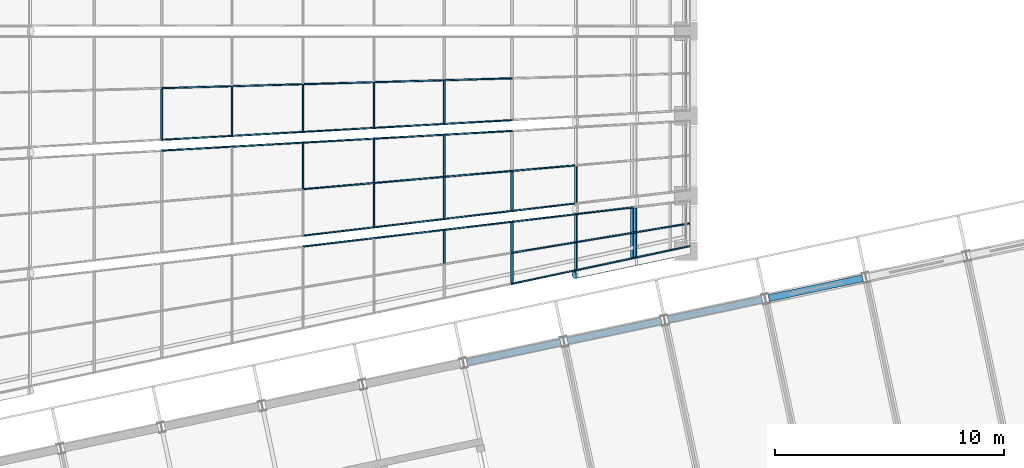
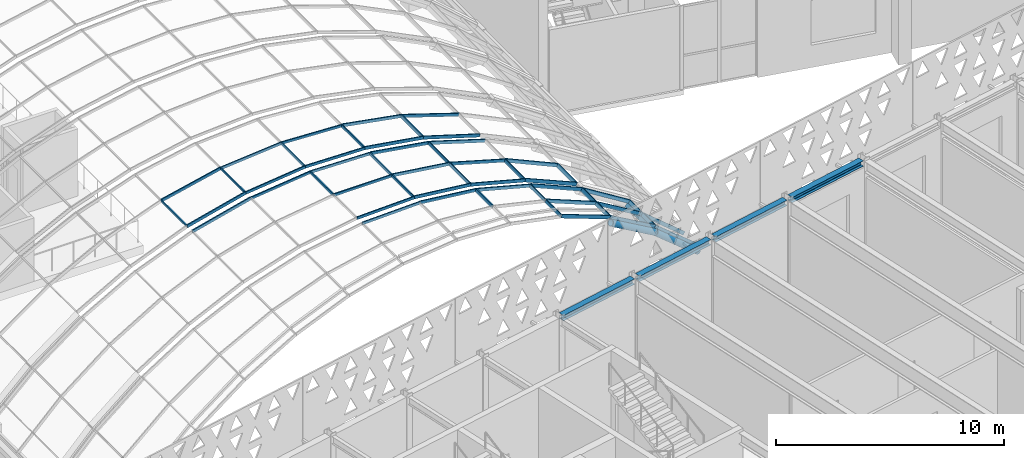
# One storey, part 33 of 182: 56 members, 4 beams, 3 elements without a shape of their own.
"""IFC4 building model written with IfcOpenShell, lengths in metres."""

from ifc_helpers import new_model, si_unit, direction, frame, origin, origin_2d, place, context, subcontext, project, spatial, rectangle, hollow_rectangle, hollow_circle, i_section, extrude, material, material_profile, profile_set, type_object, element, aggregate, save


model = new_model("IFC4")

# Units and contexts
model_context = context("Model", 3, precision=1e-05, world=origin(), true_north=direction((0.0, 1.0)))
body_context = subcontext(model_context, "Body", "Model", "MODEL_VIEW")
ifc_project = project(units=[si_unit("LENGTHUNIT", "METRE"), si_unit("AREAUNIT", "SQUARE_METRE"), si_unit("VOLUMEUNIT", "CUBIC_METRE"), si_unit("PLANEANGLEUNIT", "RADIAN"), si_unit("MASSUNIT", "GRAM", prefix="KILO")], contexts=[model_context])

# Site, building, storey
site_placement = place(None, origin())
site = spatial("IfcSite", under=ifc_project, at=site_placement, CompositionType="ELEMENT")
building_placement = place(site_placement, origin())
building = spatial("IfcBuilding", under=site, at=building_placement, Name="Okhra Congress Centre", CompositionType="ELEMENT")
storey_placement = place(building_placement, frame((0.0, 0.0, 7.199951171875)))
storey = spatial("IfcBuildingStorey", under=building, at=storey_placement, Name="L01", CompositionType="ELEMENT", Elevation=7.199951171875)

# Curtain wall, member
ifc_material_1 = material(Name="Aluminium frame with triple glazing", Category="aluminium")
curtain_wall_type = type_object("IfcCurtainWallType", Name="Glazed vault bay curtain wall", PredefinedType="NOTDEFINED", material=ifc_material_1)
curtain_wall_1_placement = place(storey_placement, origin())
curtain_wall_1 = element("IfcCurtainWall", 1, at=curtain_wall_1_placement, inside=storey, type_object=curtain_wall_type, Name="Vault glazing bay 1", PredefinedType="NOTDEFINED")
ifc_material_2 = material(Name="Aluminium alloy 6063", Category="aluminium")
ifc_material_profile_1 = material_profile(ifc_material_2, rectangle(XDim=0.06005859375, YDim=0.139892578125, at=origin_2d()), Name="AL 60x140")
ifc_profile_set_1 = profile_set([ifc_material_profile_1], Name="Aluminium alloy 6063")
member_type_1 = type_object("IfcMemberType", Name="Aluminium mullion 60x140", PredefinedType="MULLION", material=ifc_profile_set_1)
member_1_placement = place(storey_placement, frame((172.25, 81.5810546875, 8.945068359375), z_axis=(0.990927819516, 0.117383489745, -0.065445953608), x_axis=(-0.117635687076, 0.99305681868, 0.0)))
member_1 = element("IfcMember", 2, at=member_1_placement, type_object=member_type_1, Name="Vault mullion 1.3.7", PredefinedType="MULLION", context=body_context, shape_type="SweptSolid", body=[
    extrude(rectangle(XDim=0.06005859375, YDim=0.139892578125, at=origin_2d()), origin(), (0.0, 0.0, 1.0), 3.144775390625),
])

# Curtain wall, members
curtain_wall_2_placement = place(storey_placement, origin())
curtain_wall_2 = element("IfcCurtainWall", 3, at=curtain_wall_2_placement, inside=storey, type_object=curtain_wall_type, Name="Vault glazing bay 2", PredefinedType="NOTDEFINED")
member_2_placement = place(storey_placement, frame((172.25, 82.05029296875, 8.945068359375), z_axis=(0.990927819516, 0.117383489745, -0.065445953608), x_axis=(-0.117635687076, 0.99305681868, 0.0)))
member_2 = element("IfcMember", 4, at=member_2_placement, type_object=member_type_1, Name="Vault mullion 2.1.7", PredefinedType="MULLION", context=body_context, shape_type="SweptSolid", body=[
    extrude(rectangle(XDim=0.06005859375, YDim=0.139892578125, at=origin_2d()), origin(), (0.0, 0.0, 1.0), 3.144775390625),
])
member_3_placement = place(storey_placement, frame((172.25, 84.08740234375, 8.945068359375), z_axis=(0.994056969622, 0.086835907327, -0.065652618724), x_axis=(-0.08702365743, 0.996206245236, 0.0)))
member_3 = element("IfcMember", 5, at=member_3_placement, type_object=member_type_1, Name="Vault mullion 2.2.7", PredefinedType="MULLION", context=body_context, shape_type="SweptSolid", body=[
    extrude(rectangle(XDim=0.06005859375, YDim=0.139892578125, at=origin_2d()), origin(), (0.0, 0.0, 1.0), 3.134765625),
])
member_4_placement = place(storey_placement, frame((169.1337890625, 85.948974609375, 8.7392578125), z_axis=(0.996257988444, 0.056041463154, 0.065797985291), x_axis=(-0.056163170737, 0.998421603459, 0.0)))
member_4 = element("IfcMember", 6, at=member_4_placement, type_object=member_type_1, Name="Vault mullion 2.3.6", PredefinedType="MULLION", context=body_context, shape_type="SweptSolid", body=[
    extrude(rectangle(XDim=0.06005859375, YDim=0.139892578125, at=origin_2d()), origin(), (0.0, 0.0, 1.0), 3.1279296875),
])
member_5_placement = place(storey_placement, frame((172.25, 86.124267578125, 8.945068359375), z_axis=(0.996257988444, 0.056041463154, -0.065797985291), x_axis=(-0.056163170737, 0.998421603459, 0.0)))
member_5 = element("IfcMember", 7, at=member_5_placement, type_object=member_type_1, Name="Vault mullion 2.3.7", PredefinedType="MULLION", context=body_context, shape_type="SweptSolid", body=[
    extrude(rectangle(XDim=0.06005859375, YDim=0.139892578125, at=origin_2d()), origin(), (0.0, 0.0, 1.0), 3.1279296875),
])

curtain_wall_3_placement = place(storey_placement, origin())
curtain_wall_3 = element("IfcCurtainWall", 8, at=curtain_wall_3_placement, inside=storey, type_object=curtain_wall_type, Name="Vault glazing bay 3", PredefinedType="NOTDEFINED")
member_6_placement = place(storey_placement, frame((169.1337890625, 86.416015625, 8.7392578125), z_axis=(0.996257988444, 0.056041463154, 0.065797985291), x_axis=(-0.056163170737, 0.998421603459, 0.0)))
member_6 = element("IfcMember", 9, at=member_6_placement, type_object=member_type_1, Name="Vault mullion 3.1.6", PredefinedType="MULLION", context=body_context, shape_type="SweptSolid", body=[
    extrude(rectangle(XDim=0.06005859375, YDim=0.139892578125, at=origin_2d()), origin(), (0.0, 0.0, 1.0), 3.1279296875),
])
member_7_placement = place(storey_placement, frame((172.25, 86.59130859375, 8.945068359375), z_axis=(0.996257988444, 0.056041463154, -0.065797985291), x_axis=(-0.056163170737, 0.998421603459, 0.0)))
member_7 = element("IfcMember", 10, at=member_7_placement, type_object=member_type_1, Name="Vault mullion 3.1.7", PredefinedType="MULLION", context=body_context, shape_type="SweptSolid", body=[
    extrude(rectangle(XDim=0.06005859375, YDim=0.139892578125, at=origin_2d()), origin(), (0.0, 0.0, 1.0), 3.1279296875),
])
member_8_placement = place(storey_placement, frame((169.1337890625, 88.591552734375, 8.7392578125), z_axis=(0.997433400323, 0.028053791187, 0.065875615518), x_axis=(-0.028114861094, 0.999604699161, 0.0)))
member_8 = element("IfcMember", 11, at=member_8_placement, type_object=member_type_1, Name="Vault mullion 3.2.6", PredefinedType="MULLION", context=body_context, shape_type="SweptSolid", body=[
    extrude(rectangle(XDim=0.06005859375, YDim=0.139892578125, at=origin_2d()), origin(), (0.0, 0.0, 1.0), 3.124267578125),
])
member_9_placement = place(storey_placement, frame((172.25, 88.67919921875, 8.945068359375), z_axis=(0.997435583901, 0.027975708166, -0.065875759733), x_axis=(-0.028036608362, 0.999606897031, 0.0)))
member_9 = element("IfcMember", 12, at=member_9_placement, type_object=member_type_1, Name="Vault mullion 3.2.7", PredefinedType="MULLION", context=body_context, shape_type="SweptSolid", body=[
    extrude(rectangle(XDim=0.06005859375, YDim=0.139892578125, at=origin_2d()), origin(), (0.0, 0.0, 1.0), 3.124267578125),
])

# Member
ifc_material_profile_2 = material_profile(ifc_material_2, rectangle(XDim=0.06005859375, YDim=0.159912109375, at=origin_2d()), Name="AL 60x160")
ifc_profile_set_2 = profile_set([ifc_material_profile_2], Name="Aluminium alloy 6063")
member_type_2 = type_object("IfcMemberType", Name="Aluminium mullion 60x160", PredefinedType="MULLION", material=ifc_profile_set_2)
member_10_placement = place(storey_placement, frame((175.367431640625, 81.950439453125, 8.7490234375), z_axis=(0.973940797831, 0.115339179597, -0.195284909734), x_axis=(-0.117603451244, 0.993060636747, 0.0)))
member_10 = element("IfcMember", 13, at=member_10_placement, type_object=member_type_2, Name="Vault mullion 1.3.8", PredefinedType="MULLION", context=body_context, shape_type="SweptSolid", body=[
    extrude(rectangle(XDim=0.06005859375, YDim=0.159912109375, at=origin_2d()), origin(), (0.0, 0.0, 1.0), 3.1455078125),
])

member_11_placement = place(storey_placement, frame((178.430908203125, 82.313232421875, 8.134765625), z_axis=(0.940172673451, 0.111435350326, -0.321958858853), x_axis=(-0.117702581996, 0.993048892146, 0.0)))
member_11 = element("IfcMember", 14, at=member_11_placement, type_object=member_type_2, Name="Vault mullion 1.3.9", PredefinedType="MULLION", context=body_context, shape_type="SweptSolid", body=[
    extrude(rectangle(XDim=0.06005859375, YDim=0.159912109375, at=origin_2d()), origin(), (0.0, 0.0, 1.0), 3.143798828125),
])

member_12_placement = place(storey_placement, frame((175.367431640625, 82.419677734375, 8.7490234375), z_axis=(0.973940797831, 0.115339179597, -0.195284909734), x_axis=(-0.117603451244, 0.993060636747, 0.0)))
member_12 = element("IfcMember", 15, at=member_12_placement, type_object=member_type_2, Name="Vault mullion 2.1.8", PredefinedType="MULLION", context=body_context, shape_type="SweptSolid", body=[
    extrude(rectangle(XDim=0.06005859375, YDim=0.159912109375, at=origin_2d()), origin(), (0.0, 0.0, 1.0), 3.1455078125),
])

member_13_placement = place(storey_placement, frame((178.430908203125, 82.782470703125, 8.134765625), z_axis=(0.940172673451, 0.111435350326, -0.321958858853), x_axis=(-0.117702581996, 0.993048892146, 0.0)))
member_13 = element("IfcMember", 16, at=member_13_placement, type_object=member_type_2, Name="Vault mullion 2.1.9", PredefinedType="MULLION", context=body_context, shape_type="SweptSolid", body=[
    extrude(rectangle(XDim=0.06005859375, YDim=0.159912109375, at=origin_2d()), origin(), (0.0, 0.0, 1.0), 3.143798828125),
])

member_14_placement = place(storey_placement, frame((175.367431640625, 84.359619140625, 8.7490234375), z_axis=(0.976908504689, 0.085327679402, -0.195879964759), x_axis=(-0.087013311702, 0.996207148934, 0.0)))
member_14 = element("IfcMember", 17, at=member_14_placement, type_object=member_type_2, Name="Vault mullion 2.2.8", PredefinedType="MULLION", context=body_context, shape_type="SweptSolid", body=[
    extrude(rectangle(XDim=0.06005859375, YDim=0.159912109375, at=origin_2d()), origin(), (0.0, 0.0, 1.0), 3.135986328125),
])

member_15_placement = place(storey_placement, frame((178.430908203125, 84.627197265625, 8.134765625), z_axis=(0.942848354341, 0.082393124547, -0.322875136458), x_axis=(-0.087055690621, 0.996203446456, 0.0)))
member_15 = element("IfcMember", 18, at=member_15_placement, type_object=member_type_2, Name="Vault mullion 2.2.9", PredefinedType="MULLION", context=body_context, shape_type="SweptSolid", body=[
    extrude(rectangle(XDim=0.06005859375, YDim=0.159912109375, at=origin_2d()), origin(), (0.0, 0.0, 1.0), 3.135009765625),
])

member_16_placement = place(storey_placement, frame((166.069091796875, 85.776611328125, 8.134765625), z_axis=(0.978995840077, 0.055082169517, 0.196298496464), x_axis=(-0.056175101862, 0.998420932238, 0.0)))
member_16 = element("IfcMember", 19, at=member_16_placement, type_object=member_type_2, Name="Vault mullion 2.3.5", PredefinedType="MULLION", context=body_context, shape_type="SweptSolid", body=[
    extrude(rectangle(XDim=0.06005859375, YDim=0.159912109375, at=origin_2d()), origin(), (0.0, 0.0, 1.0), 3.129150390625),
])

member_17_placement = place(storey_placement, frame((175.367431640625, 86.299560546875, 8.7490234375), z_axis=(0.978995840077, 0.055082169517, -0.196298496464), x_axis=(-0.056175101862, 0.998420932238, 0.0)))
member_17 = element("IfcMember", 20, at=member_17_placement, type_object=member_type_2, Name="Vault mullion 2.3.8", PredefinedType="MULLION", context=body_context, shape_type="SweptSolid", body=[
    extrude(rectangle(XDim=0.06005859375, YDim=0.159912109375, at=origin_2d()), origin(), (0.0, 0.0, 1.0), 3.129150390625),
])

member_18_placement = place(storey_placement, frame((178.430908203125, 86.471923828125, 8.134765625), z_axis=(0.944728367295, 0.053139507568, -0.323518940349), x_axis=(-0.056159679993, 0.998421799814, 0.0)))
member_18 = element("IfcMember", 21, at=member_18_placement, type_object=member_type_2, Name="Vault mullion 2.3.9", PredefinedType="MULLION", context=body_context, shape_type="SweptSolid", body=[
    extrude(rectangle(XDim=0.06005859375, YDim=0.159912109375, at=origin_2d()), origin(), (0.0, 0.0, 1.0), 3.128662109375),
])

member_19_placement = place(storey_placement, frame((166.069091796875, 86.24365234375, 8.134765625), z_axis=(0.978995840077, 0.055082169517, 0.196298496464), x_axis=(-0.056175101862, 0.998420932238, 0.0)))
member_19 = element("IfcMember", 22, at=member_19_placement, type_object=member_type_2, Name="Vault mullion 3.1.5", PredefinedType="MULLION", context=body_context, shape_type="SweptSolid", body=[
    extrude(rectangle(XDim=0.06005859375, YDim=0.159912109375, at=origin_2d()), origin(), (0.0, 0.0, 1.0), 3.129150390625),
])

member_20_placement = place(storey_placement, frame((175.367431640625, 86.7666015625, 8.7490234375), z_axis=(0.978995840077, 0.055082169517, -0.196298496464), x_axis=(-0.056175101862, 0.998420932238, 0.0)))
member_20 = element("IfcMember", 23, at=member_20_placement, type_object=member_type_2, Name="Vault mullion 3.1.8", PredefinedType="MULLION", context=body_context, shape_type="SweptSolid", body=[
    extrude(rectangle(XDim=0.06005859375, YDim=0.159912109375, at=origin_2d()), origin(), (0.0, 0.0, 1.0), 3.129150390625),
])

member_21_placement = place(storey_placement, frame((178.430908203125, 86.93896484375, 8.134765625), z_axis=(0.944728367295, 0.053139507568, -0.323518940349), x_axis=(-0.056159679993, 0.998421799814, 0.0)))
member_21 = element("IfcMember", 24, at=member_21_placement, type_object=member_type_2, Name="Vault mullion 3.1.9", PredefinedType="MULLION", context=body_context, shape_type="SweptSolid", body=[
    extrude(rectangle(XDim=0.06005859375, YDim=0.159912109375, at=origin_2d()), origin(), (0.0, 0.0, 1.0), 3.128662109375),
])

member_22_placement = place(storey_placement, frame((166.069091796875, 88.50537109375, 8.134765625), z_axis=(0.9801137217, 0.027494423816, 0.196522642955), x_axis=(-0.028041248163, 0.999606766885, 0.0)))
member_22 = element("IfcMember", 25, at=member_22_placement, type_object=member_type_2, Name="Vault mullion 3.2.5", PredefinedType="MULLION", context=body_context, shape_type="SweptSolid", body=[
    extrude(rectangle(XDim=0.06005859375, YDim=0.159912109375, at=origin_2d()), origin(), (0.0, 0.0, 1.0), 3.125732421875),
])

member_23_placement = place(storey_placement, frame((175.367431640625, 88.766845703125, 8.7490234375), z_axis=(0.980111613858, 0.027572473676, -0.196522220311), x_axis=(-0.028120847893, 0.999604530759, 0.0)))
member_23 = element("IfcMember", 26, at=member_23_placement, type_object=member_type_2, Name="Vault mullion 3.2.8", PredefinedType="MULLION", context=body_context, shape_type="SweptSolid", body=[
    extrude(rectangle(XDim=0.06005859375, YDim=0.159912109375, at=origin_2d()), origin(), (0.0, 0.0, 1.0), 3.125732421875),
])

member_24_placement = place(storey_placement, frame((178.430908203125, 88.85302734375, 8.134765625), z_axis=(0.945731339932, 0.026558904401, -0.323862404837), x_axis=(-0.028071859966, 0.999605907685, 0.0)))
member_24 = element("IfcMember", 27, at=member_24_placement, type_object=member_type_2, Name="Vault mullion 3.2.9", PredefinedType="MULLION", context=body_context, shape_type="SweptSolid", body=[
    extrude(rectangle(XDim=0.06005859375, YDim=0.159912109375, at=origin_2d()), origin(), (0.0, 0.0, 1.0), 3.12548828125),
])

ifc_material_profile_3 = material_profile(ifc_material_2, rectangle(XDim=0.06005859375, YDim=0.179931640625, at=origin_2d()), Name="AL 60x180")
ifc_profile_set_3 = profile_set([ifc_material_profile_3], Name="Aluminium alloy 6063")
member_type_3 = type_object("IfcMemberType", Name="Aluminium mullion 60x180", PredefinedType="MULLION", material=ifc_profile_set_3)
member_25_placement = place(storey_placement, frame((181.390625, 79.947021484375, 7.1318359375), z_axis=(0.879473345391, 0.186929331592, -0.437703163957), x_axis=(-0.207902647066, 0.978149522999, 0.0)))
member_25 = element("IfcMember", 28, at=member_25_placement, type_object=member_type_3, Name="Vault mullion 1.1.10", PredefinedType="MULLION", context=body_context, shape_type="SweptSolid", body=[
    extrude(rectangle(XDim=0.06005859375, YDim=0.179931640625, at=origin_2d()), origin(), (0.0, 0.0, 1.0), 3.181640625),
])

member_26_placement = place(storey_placement, frame((184.188720703125, 80.541748046875, 5.7392578125), z_axis=(0.816251475233, 0.173542863833, -0.551013977674), x_axis=(-0.207961285665, 0.978137057709, 0.0)))
member_26 = element("IfcMember", 29, at=member_26_placement, type_object=member_type_3, Name="Vault mullion 1.1.11", PredefinedType="MULLION", context=body_context, shape_type="SweptSolid", body=[
    extrude(rectangle(XDim=0.06005859375, YDim=0.179931640625, at=origin_2d()), origin(), (0.0, 0.0, 1.0), 3.173828125),
])

member_27_placement = place(storey_placement, frame((186.779296875, 81.092529296875, 3.990478515625), z_axis=(0.738742575659, 0.157051256557, -0.655434443497), x_axis=(-0.207945482908, 0.978140417393, 0.0)))
member_27 = element("IfcMember", 30, at=member_27_placement, type_object=member_type_3, Name="Vault mullion 1.1.12", PredefinedType="MULLION", context=body_context, shape_type="SweptSolid", body=[
    extrude(rectangle(XDim=0.06005859375, YDim=0.179931640625, at=origin_2d()), origin(), (0.0, 0.0, 1.0), 3.1650390625),
])

member_28_placement = place(storey_placement, frame((181.390625, 81.305419921875, 7.1318359375), z_axis=(0.885583868614, 0.146579931835, -0.440744296883), x_axis=(-0.163296114073, 0.986577102475, 0.0)))
member_28 = element("IfcMember", 31, at=member_28_placement, type_object=member_type_3, Name="Vault mullion 1.2.10", PredefinedType="MULLION", context=body_context, shape_type="SweptSolid", body=[
    extrude(rectangle(XDim=0.06005859375, YDim=0.179931640625, at=origin_2d()), origin(), (0.0, 0.0, 1.0), 3.15966796875),
])

member_29_placement = place(storey_placement, frame((184.188720703125, 81.7685546875, 5.7392578125), z_axis=(0.821131025697, 0.13596524476, -0.554307938655), x_axis=(-0.163358571477, 0.986566762629, 0.0)))
member_29 = element("IfcMember", 32, at=member_29_placement, type_object=member_type_3, Name="Vault mullion 1.2.11", PredefinedType="MULLION", context=body_context, shape_type="SweptSolid", body=[
    extrude(rectangle(XDim=0.06005859375, YDim=0.179931640625, at=origin_2d()), origin(), (0.0, 0.0, 1.0), 3.15478515625),
])

member_30_placement = place(storey_placement, frame((186.779296875, 82.197509765625, 3.990478515625), z_axis=(0.742358128377, 0.122860774092, -0.65864226969), x_axis=(-0.163279631546, 0.986579830486, 0.0)))
member_30 = element("IfcMember", 33, at=member_30_placement, type_object=member_type_3, Name="Vault mullion 1.2.12", PredefinedType="MULLION", context=body_context, shape_type="SweptSolid", body=[
    extrude(rectangle(XDim=0.06005859375, YDim=0.179931640625, at=origin_2d()), origin(), (0.0, 0.0, 1.0), 3.149658203125),
])

member_31_placement = place(storey_placement, frame((181.390625, 82.663818359375, 7.1318359375), z_axis=(0.890258875405, 0.10548569521, -0.443070990778), x_axis=(-0.117665677919, 0.99305326556, 0.0)))
member_31 = element("IfcMember", 34, at=member_31_placement, type_object=member_type_3, Name="Vault mullion 1.3.10", PredefinedType="MULLION", context=body_context, shape_type="SweptSolid", body=[
    extrude(rectangle(XDim=0.06005859375, YDim=0.179931640625, at=origin_2d()), origin(), (0.0, 0.0, 1.0), 3.14306640625),
])

member_32_placement = place(storey_placement, frame((184.188720703125, 82.995361328125, 5.7392578125), z_axis=(0.824861462835, 0.097714716689, -0.556826185872), x_axis=(-0.117639418105, 0.993056376702, 0.0)))
member_32 = element("IfcMember", 35, at=member_32_placement, type_object=member_type_3, Name="Vault mullion 1.3.11", PredefinedType="MULLION", context=body_context, shape_type="SweptSolid", body=[
    extrude(rectangle(XDim=0.06005859375, YDim=0.179931640625, at=origin_2d()), origin(), (0.0, 0.0, 1.0), 3.140625),
])

member_33_placement = place(storey_placement, frame((181.390625, 83.133056640625, 7.1318359375), z_axis=(0.890258875405, 0.10548569521, -0.443070990778), x_axis=(-0.117665677919, 0.99305326556, 0.0)))
member_33 = element("IfcMember", 36, at=member_33_placement, type_object=member_type_3, Name="Vault mullion 2.1.10", PredefinedType="MULLION", context=body_context, shape_type="SweptSolid", body=[
    extrude(rectangle(XDim=0.06005859375, YDim=0.179931640625, at=origin_2d()), origin(), (0.0, 0.0, 1.0), 3.14306640625),
])

member_34_placement = place(storey_placement, frame((181.390625, 84.8857421875, 7.1318359375), z_axis=(0.892523994014, 0.078030629265, -0.4441983127), x_axis=(-0.087094706938, 0.996200036149, 0.0)))
member_34 = element("IfcMember", 37, at=member_34_placement, type_object=member_type_3, Name="Vault mullion 2.2.10", PredefinedType="MULLION", context=body_context, shape_type="SweptSolid", body=[
    extrude(rectangle(XDim=0.06005859375, YDim=0.179931640625, at=origin_2d()), origin(), (0.0, 0.0, 1.0), 3.135009765625),
])

ifc_material_profile_4 = material_profile(ifc_material_2, rectangle(XDim=0.06005859375, YDim=0.139892578125, at=origin_2d()), Name="AL 60x140 transom")
ifc_profile_set_4 = profile_set([ifc_material_profile_4], Name="Aluminium alloy 6063")
member_type_4 = type_object("IfcMemberType", Name="Aluminium transom 60x140", PredefinedType="USERDEFINED", material=ifc_profile_set_4)
member_35_placement = place(storey_placement, frame((175.3662109375, 82.449462890625, 8.7392578125), z_axis=(0.0, 1.0, 0.0), x_axis=(-0.991307202734, 0.0, 0.131567586459)))
member_35 = element("IfcMember", 38, at=member_35_placement, type_object=member_type_4, Name="Vault transom 2.1.8", ObjectType="TRANSOM", PredefinedType="USERDEFINED", context=body_context, shape_type="SweptSolid", body=[
    extrude(rectangle(XDim=0.06005859375, YDim=0.139892578125, at=origin_2d()), origin(), (0.0, 0.0, 1.0), 1.880126953125),
])

member_36_placement = place(storey_placement, frame((172.25, 84.117431640625, 8.945068359375), z_axis=(0.0, 1.0, 0.0), x_axis=(-1.0, 0.0, 0.0)))
member_36 = element("IfcMember", 39, at=member_36_placement, type_object=member_type_4, Name="Vault transom 2.2.7", ObjectType="TRANSOM", PredefinedType="USERDEFINED", context=body_context, shape_type="SweptSolid", body=[
    extrude(rectangle(XDim=0.06005859375, YDim=0.139892578125, at=origin_2d()), origin(), (0.0, 0.0, 1.0), 1.976806640625),
])

member_37_placement = place(storey_placement, frame((175.3662109375, 84.3896484375, 8.7392578125), z_axis=(0.0, 1.0, 0.0), x_axis=(-0.991307202734, 0.0, 0.131567586459)))
member_37 = element("IfcMember", 40, at=member_37_placement, type_object=member_type_4, Name="Vault transom 2.2.8", ObjectType="TRANSOM", PredefinedType="USERDEFINED", context=body_context, shape_type="SweptSolid", body=[
    extrude(rectangle(XDim=0.06005859375, YDim=0.139892578125, at=origin_2d()), origin(), (0.0, 0.0, 1.0), 1.8798828125),
])

member_38_placement = place(storey_placement, frame((169.1337890625, 86.446044921875, 8.7392578125), z_axis=(0.0, 1.0, 0.0), x_axis=(-0.991307202734, 0.0, -0.131567586459)))
member_38 = element("IfcMember", 41, at=member_38_placement, type_object=member_type_4, Name="Vault transom 3.1.6", ObjectType="TRANSOM", PredefinedType="USERDEFINED", context=body_context, shape_type="SweptSolid", body=[
    extrude(rectangle(XDim=0.06005859375, YDim=0.139892578125, at=origin_2d()), origin(), (0.0, 0.0, 1.0), 2.115478515625),
])

member_39_placement = place(storey_placement, frame((172.25, 86.621337890625, 8.945068359375), z_axis=(0.0, 1.0, 0.0), x_axis=(-1.0, 0.0, 0.0)))
member_39 = element("IfcMember", 42, at=member_39_placement, type_object=member_type_4, Name="Vault transom 3.1.7", ObjectType="TRANSOM", PredefinedType="USERDEFINED", context=body_context, shape_type="SweptSolid", body=[
    extrude(rectangle(XDim=0.06005859375, YDim=0.139892578125, at=origin_2d()), origin(), (0.0, 0.0, 1.0), 2.02783203125),
])

member_40_placement = place(storey_placement, frame((175.3662109375, 86.796630859375, 8.7392578125), z_axis=(0.0, 1.0, 0.0), x_axis=(-0.991307202734, 0.0, 0.131567586459)))
member_40 = element("IfcMember", 43, at=member_40_placement, type_object=member_type_4, Name="Vault transom 3.1.8", ObjectType="TRANSOM", PredefinedType="USERDEFINED", context=body_context, shape_type="SweptSolid", body=[
    extrude(rectangle(XDim=0.06005859375, YDim=0.139892578125, at=origin_2d()), origin(), (0.0, 0.0, 1.0), 1.940185546875),
])

ifc_material_profile_5 = material_profile(ifc_material_2, rectangle(XDim=0.06005859375, YDim=0.159912109375, at=origin_2d()), Name="AL 60x160 transom")
ifc_profile_set_5 = profile_set([ifc_material_profile_5], Name="Aluminium alloy 6063")
member_type_5 = type_object("IfcMemberType", Name="Aluminium transom 60x160", PredefinedType="USERDEFINED", material=ifc_profile_set_5)
member_41_placement = place(storey_placement, frame((181.38671875, 79.97607421875, 7.12255859375), z_axis=(0.0, 1.0, 0.0), x_axis=(-0.922668973833, 0.0, 0.38559300399)))
member_41 = element("IfcMember", 44, at=member_41_placement, type_object=member_type_5, Name="Vault transom 1.1.10", ObjectType="TRANSOM", PredefinedType="USERDEFINED", context=body_context, shape_type="SweptSolid", body=[
    extrude(rectangle(XDim=0.06005859375, YDim=0.159912109375, at=origin_2d()), origin(), (0.0, 0.0, 1.0), 1.298828125),
])

member_42_placement = place(storey_placement, frame((178.430908203125, 80.845458984375, 8.134765625), z_axis=(0.0, 1.0, 0.0), x_axis=(-0.965379940391, 0.0, 0.260847792191)))
member_42 = element("IfcMember", 45, at=member_42_placement, type_object=member_type_5, Name="Vault transom 1.2.9", ObjectType="TRANSOM", PredefinedType="USERDEFINED", context=body_context, shape_type="SweptSolid", body=[
    extrude(rectangle(XDim=0.06005859375, YDim=0.159912109375, at=origin_2d()), origin(), (0.0, 0.0, 1.0), 1.437744140625),
])

member_43_placement = place(storey_placement, frame((181.38671875, 81.334716796875, 7.12255859375), z_axis=(0.0, 1.0, 0.0), x_axis=(-0.922668973833, 0.0, 0.38559300399)))
member_43 = element("IfcMember", 46, at=member_43_placement, type_object=member_type_5, Name="Vault transom 1.2.10", ObjectType="TRANSOM", PredefinedType="USERDEFINED", context=body_context, shape_type="SweptSolid", body=[
    extrude(rectangle(XDim=0.06005859375, YDim=0.159912109375, at=origin_2d()), origin(), (0.0, 0.0, 1.0), 1.298828125),
])

member_44_placement = place(storey_placement, frame((178.430908203125, 82.8125, 8.134765625), z_axis=(0.0, 1.0, 0.0), x_axis=(-0.965379940391, 0.0, 0.260847792191)))
member_44 = element("IfcMember", 47, at=member_44_placement, type_object=member_type_5, Name="Vault transom 2.1.9", ObjectType="TRANSOM", PredefinedType="USERDEFINED", context=body_context, shape_type="SweptSolid", body=[
    extrude(rectangle(XDim=0.06005859375, YDim=0.159912109375, at=origin_2d()), origin(), (0.0, 0.0, 1.0), 1.78466796875),
])

member_45_placement = place(storey_placement, frame((181.38671875, 83.16259765625, 7.12255859375), z_axis=(0.0, 1.0, 0.0), x_axis=(-0.922668973833, 0.0, 0.38559300399)))
member_45 = element("IfcMember", 48, at=member_45_placement, type_object=member_type_5, Name="Vault transom 2.1.10", ObjectType="TRANSOM", PredefinedType="USERDEFINED", context=body_context, shape_type="SweptSolid", body=[
    extrude(rectangle(XDim=0.06005859375, YDim=0.159912109375, at=origin_2d()), origin(), (0.0, 0.0, 1.0), 1.69287109375),
])

member_46_placement = place(storey_placement, frame((178.430908203125, 84.6572265625, 8.134765625), z_axis=(0.0, 1.0, 0.0), x_axis=(-0.965379940391, 0.0, 0.260847792191)))
member_46 = element("IfcMember", 49, at=member_46_placement, type_object=member_type_5, Name="Vault transom 2.2.9", ObjectType="TRANSOM", PredefinedType="USERDEFINED", context=body_context, shape_type="SweptSolid", body=[
    extrude(rectangle(XDim=0.06005859375, YDim=0.159912109375, at=origin_2d()), origin(), (0.0, 0.0, 1.0), 1.78466796875),
])

member_47_placement = place(storey_placement, frame((166.069091796875, 86.273681640625, 8.134765625), z_axis=(0.0, 1.0, 0.0), x_axis=(-0.965379940391, 0.0, -0.260847792191)))
member_47 = element("IfcMember", 50, at=member_47_placement, type_object=member_type_5, Name="Vault transom 3.1.5", ObjectType="TRANSOM", PredefinedType="USERDEFINED", context=body_context, shape_type="SweptSolid", body=[
    extrude(rectangle(XDim=0.06005859375, YDim=0.159912109375, at=origin_2d()), origin(), (0.0, 0.0, 1.0), 2.20166015625),
])

member_48_placement = place(storey_placement, frame((178.430908203125, 86.968994140625, 8.134765625), z_axis=(0.0, 1.0, 0.0), x_axis=(-0.965379940391, 0.0, 0.260847792191)))
member_48 = element("IfcMember", 51, at=member_48_placement, type_object=member_type_5, Name="Vault transom 3.1.9", ObjectType="TRANSOM", PredefinedType="USERDEFINED", context=body_context, shape_type="SweptSolid", body=[
    extrude(rectangle(XDim=0.06005859375, YDim=0.159912109375, at=origin_2d()), origin(), (0.0, 0.0, 1.0), 1.85400390625),
])

aggregate(curtain_wall_3, [member_19, member_6, member_7, member_20, member_21, member_22, member_8, member_9, member_23, member_24, member_47, member_38, member_39, member_40, member_48])

ifc_material_profile_6 = material_profile(ifc_material_2, rectangle(XDim=0.06005859375, YDim=0.179931640625, at=origin_2d()), Name="AL 60x180 transom")
ifc_profile_set_6 = profile_set([ifc_material_profile_6], Name="Aluminium alloy 6063")
member_type_6 = type_object("IfcMemberType", Name="Aluminium transom 60x180", PredefinedType="USERDEFINED", material=ifc_profile_set_6)
member_49_placement = place(storey_placement, frame((184.188720703125, 80.57177734375, 5.7392578125), z_axis=(0.0, 1.0, 0.0), x_axis=(-0.86391685861, 0.0, 0.503634452167)))
member_49 = element("IfcMember", 52, at=member_49_placement, type_object=member_type_6, Name="Vault transom 1.1.11", ObjectType="TRANSOM", PredefinedType="USERDEFINED", context=body_context, shape_type="SweptSolid", body=[
    extrude(rectangle(XDim=0.06005859375, YDim=0.179931640625, at=origin_2d()), origin(), (0.0, 0.0, 1.0), 1.166748046875),
])

member_50_placement = place(storey_placement, frame((186.779296875, 81.12255859375, 3.990478515625), z_axis=(0.0, 1.0, 0.0), x_axis=(-0.790145035185, 0.0, 0.612919915954)))
member_50 = element("IfcMember", 53, at=member_50_placement, type_object=member_type_6, Name="Vault transom 1.1.12", ObjectType="TRANSOM", PredefinedType="USERDEFINED", context=body_context, shape_type="SweptSolid", body=[
    extrude(rectangle(XDim=0.06005859375, YDim=0.179931640625, at=origin_2d()), origin(), (0.0, 0.0, 1.0), 1.044921875),
])

member_51_placement = place(storey_placement, frame((184.188720703125, 81.798583984375, 5.7392578125), z_axis=(0.0, 1.0, 0.0), x_axis=(-0.86391685861, 0.0, 0.503634452167)))
member_51 = element("IfcMember", 54, at=member_51_placement, type_object=member_type_6, Name="Vault transom 1.2.11", ObjectType="TRANSOM", PredefinedType="USERDEFINED", context=body_context, shape_type="SweptSolid", body=[
    extrude(rectangle(XDim=0.06005859375, YDim=0.179931640625, at=origin_2d()), origin(), (0.0, 0.0, 1.0), 1.166748046875),
])

member_52_placement = place(storey_placement, frame((186.779296875, 82.2275390625, 3.990478515625), z_axis=(0.0, 1.0, 0.0), x_axis=(-0.790145035185, 0.0, 0.612919915954)))
member_52 = element("IfcMember", 55, at=member_52_placement, type_object=member_type_6, Name="Vault transom 1.2.12", ObjectType="TRANSOM", PredefinedType="USERDEFINED", context=body_context, shape_type="SweptSolid", body=[
    extrude(rectangle(XDim=0.06005859375, YDim=0.179931640625, at=origin_2d()), origin(), (0.0, 0.0, 1.0), 1.044677734375),
])

aggregate(curtain_wall_1, [member_25, member_26, member_27, member_28, member_29, member_30, member_1, member_10, member_11, member_31, member_32, member_41, member_49, member_50, member_42, member_43, member_51, member_52])

member_53_placement = place(storey_placement, frame((184.188720703125, 83.49462890625, 5.7392578125), z_axis=(0.0, 1.0, 0.0), x_axis=(-0.86391685861, 0.0, 0.503634452167)))
member_53 = element("IfcMember", 56, at=member_53_placement, type_object=member_type_6, Name="Vault transom 2.1.11", ObjectType="TRANSOM", PredefinedType="USERDEFINED", context=body_context, shape_type="SweptSolid", body=[
    extrude(rectangle(XDim=0.06005859375, YDim=0.179931640625, at=origin_2d()), origin(), (0.0, 0.0, 1.0), 1.605712890625),
])

aggregate(curtain_wall_2, [member_2, member_12, member_13, member_33, member_3, member_14, member_15, member_34, member_16, member_4, member_5, member_17, member_18, member_35, member_44, member_45, member_53, member_36, member_37, member_46])

# Beams
ifc_material_3 = material(Name="Steel S355J2", Category="steel")
ifc_material_profile_7 = material_profile(ifc_material_3, i_section(OverallWidth=0.300048828125, OverallDepth=0.2900390625, WebThickness=0.008544921875, FlangeThickness=0.013916015625, FilletRadius=0.027099609375, at=origin_2d()), Name="HE 300 A")
ifc_profile_set_7 = profile_set([ifc_material_profile_7], Name="Steel S355J2")
beam_type = type_object("IfcBeamType", Name="Edge beam HE 300 A", PredefinedType="BEAM", material=ifc_profile_set_7)
for number, where, z_axis, x_axis, name in (
    (57, (179.41455078125, 76.512939453125, 4.505126953125), (0.978155748334, 0.207873355681, 0.0), (-0.207873355681, 0.978155748334, 0.0), "Edge beam N29"),
    (58, (183.816162109375, 77.448486328125, 4.505126953125), (0.978143927149, 0.207928972925, 0.0), (-0.207928972925, 0.978143927149, 0.0), "Edge beam N30"),
    (59, (188.2177734375, 78.384033203125, 4.505126953125), (0.978143927149, 0.207928972925, 0.0), (-0.207928972925, 0.978143927149, 0.0), "Edge beam N31"),
    (60, (192.619384765625, 79.319580078125, 4.505126953125), (0.978143927149, 0.207928972925, 0.0), (-0.207928972925, 0.978143927149, 0.0), "Edge beam N32"),
):
    element("IfcBeam", number, at=place(storey_placement, frame(where, z_axis=z_axis, x_axis=x_axis)), inside=storey, type_object=beam_type, Name=name, PredefinedType="BEAM", context=body_context, shape_type="SweptSolid", body=[
        extrude(i_section(OverallWidth=0.300048828125, OverallDepth=0.2900390625, WebThickness=0.008544921875, FlangeThickness=0.013916015625, FilletRadius=0.027099609375, at=origin_2d()), origin(), (0.0, 0.0, 1.0), 4.199951171875),
    ])

# Members
ifc_material_profile_8 = material_profile(ifc_material_3, hollow_rectangle(XDim=0.10009765625, YDim=0.199951171875, WallThickness=0.008056640625, at=origin_2d()), Name="RHS 200x100x8")
ifc_profile_set_8 = profile_set([ifc_material_profile_8], Name="Steel S355J2")
member_type_7 = type_object("IfcMemberType", Name="Steel purlin RHS 200x100x8", PredefinedType="PURLIN", material=ifc_profile_set_8)
member_54_placement = place(storey_placement, frame((186.662841796875, 81.037841796875, 3.84033203125), z_axis=(0.0, 1.0, 0.0), x_axis=(-0.790145035185, 0.0, 0.612919915954)))
element("IfcMember", 61, at=member_54_placement, inside=storey, type_object=member_type_7, Name="Vault purlin 1.11", PredefinedType="PURLIN", context=body_context, shape_type="SweptSolid", body=[
    extrude(hollow_rectangle(XDim=0.10009765625, YDim=0.199951171875, WallThickness=0.008056640625, at=origin_2d()), origin(), (0.0, 0.0, 1.0), 2.28076171875),
])
ifc_material_profile_9 = material_profile(ifc_material_3, hollow_circle(Radius=0.161865234375, WallThickness=0.012451171875, at=origin_2d()), Name="CHS 323.9x12.5")
ifc_profile_set_9 = profile_set([ifc_material_profile_9], Name="Steel S355J2")
member_type_8 = type_object("IfcMemberType", Name="Tubular steel gable arch CHS 324x12.5", PredefinedType="USERDEFINED", material=ifc_profile_set_9)
member_55_placement = place(storey_placement, frame((184.114501953125, 80.33056640625, 5.590576171875), z_axis=(0.816266531093, 0.173549262464, -0.550989658447), x_axis=(-0.207964951664, 0.978136278276, 0.0)))
element("IfcMember", 62, at=member_55_placement, inside=storey, type_object=member_type_8, Name="Arch rib 1.11", ObjectType="Arch rib", PredefinedType="USERDEFINED", context=body_context, shape_type="SweptSolid", body=[
    extrude(hollow_circle(Radius=0.161865234375, WallThickness=0.012451171875, at=origin_2d()), origin(), (0.0, 0.0, 1.0), 3.130126953125),
])
member_56_placement = place(storey_placement, frame((186.686279296875, 80.877197265625, 3.85302734375), z_axis=(0.738725736924, 0.157058299973, -0.655451734315), x_axis=(-0.207958940712, 0.978137556266, 0.0)))
element("IfcMember", 63, at=member_56_placement, inside=storey, type_object=member_type_8, Name="Arch rib 1.12", ObjectType="Arch rib", PredefinedType="USERDEFINED", context=body_context, shape_type="SweptSolid", body=[
    extrude(hollow_circle(Radius=0.161865234375, WallThickness=0.012451171875, at=origin_2d()), origin(), (0.0, 0.0, 1.0), 3.31884765625),
])

save(model, "model.ifc")
